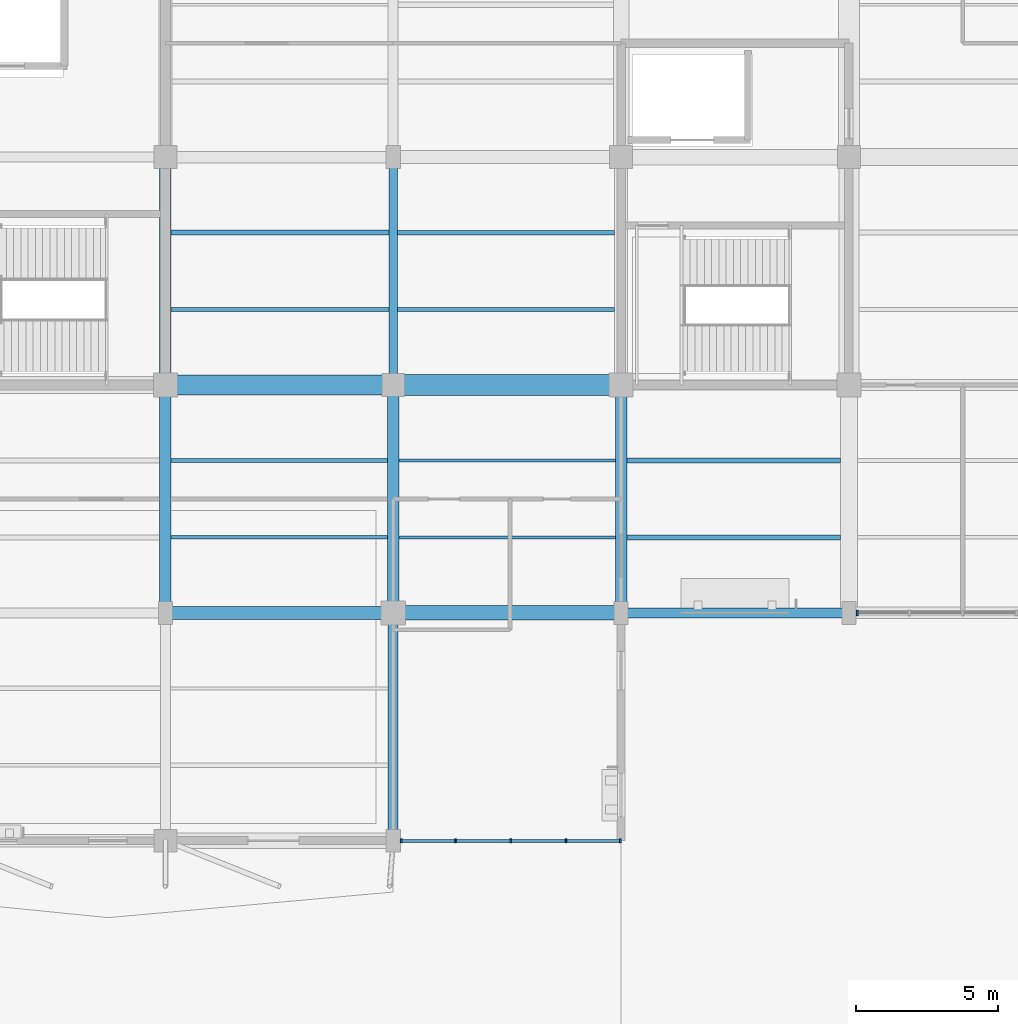
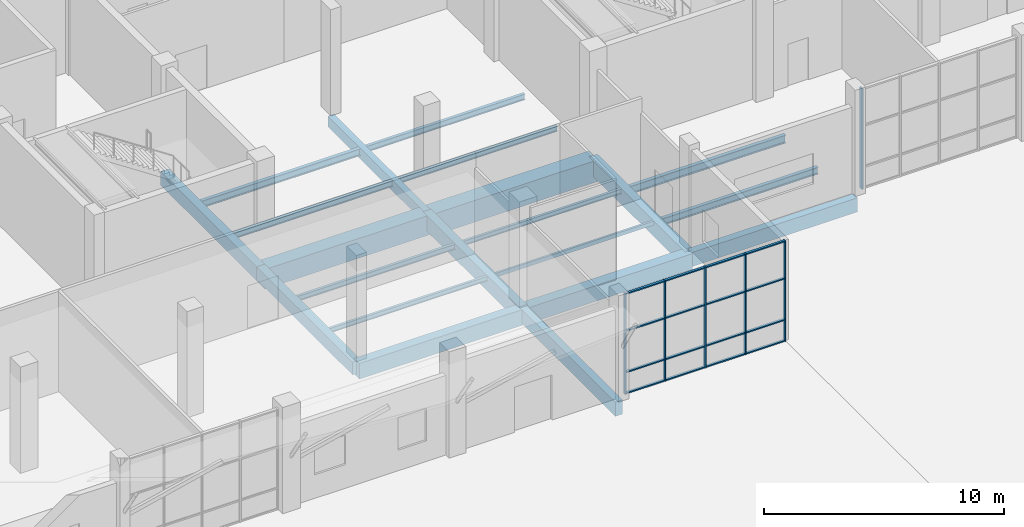
# One storey, part 37 of 123: 22 members, 21 beams, 2 elements without a shape of their own.
"""IFC4 building model written with IfcOpenShell, lengths in metres."""

from ifc_helpers import new_model, si_unit, direction, frame, origin, origin_2d, place, context, subcontext, project, spatial, rectangle, hollow_rectangle, i_section, extrude, material, material_profile, profile_set, type_object, element, aggregate, save


model = new_model("IFC4")

# Units and contexts
model_context = context("Model", 3, precision=1e-05, world=origin(), true_north=direction((0.0, 1.0)))
body_context = subcontext(model_context, "Body", "Model", "MODEL_VIEW")
ifc_project = project(units=[si_unit("LENGTHUNIT", "METRE"), si_unit("AREAUNIT", "SQUARE_METRE"), si_unit("VOLUMEUNIT", "CUBIC_METRE"), si_unit("PLANEANGLEUNIT", "RADIAN"), si_unit("MASSUNIT", "GRAM", prefix="KILO")], contexts=[model_context])

# Site, building, storey
site_placement = place(None, origin())
site = spatial("IfcSite", under=ifc_project, at=site_placement, CompositionType="ELEMENT")
building_placement = place(site_placement, origin())
building = spatial("IfcBuilding", under=site, at=building_placement, Name="Tenunan Teduh Sports Hall", CompositionType="ELEMENT")
storey_placement = place(building_placement, origin())
storey = spatial("IfcBuildingStorey", under=building, at=storey_placement, Name="L00", CompositionType="ELEMENT", Elevation=0.0)

# Beams
ifc_material_1 = material(Name="Concrete C40/50", Category="concrete")
ifc_material_profile_1 = material_profile(ifc_material_1, rectangle(XDim=0.300048828125, YDim=0.550048828125, at=origin_2d()), Name="RCB 300x550")
ifc_profile_set_1 = profile_set([ifc_material_profile_1], Name="Concrete C40/50")
beam_type_1 = type_object("IfcBeamType", Name="BM-RC-300x550", PredefinedType="BEAM", material=ifc_profile_set_1)
beam_1_placement = place(storey_placement, frame((46.0, 94.0, -0.554931640625), z_axis=(0.0, 1.0, 0.0), x_axis=(-1.0, 0.0, 0.0)))
element("IfcBeam", 1, at=beam_1_placement, inside=storey, type_object=beam_type_1, Name="BM-B-02-L00-0798", PredefinedType="BEAM", context=body_context, shape_type="SweptSolid", body=[
    extrude(rectangle(XDim=0.300048828125, YDim=0.550048828125, at=origin_2d()), origin(), (0.0, 0.0, 1.0), 8.0),
])
ifc_material_2 = material(Name="Concrete C40/50", Category="concrete")
ifc_material_profile_2 = material_profile(ifc_material_2, rectangle(XDim=0.39990234375, YDim=0.64990234375, at=origin_2d()), Name="RCB 400x650")
ifc_profile_set_2 = profile_set([ifc_material_profile_2], Name="Concrete C40/50")
beam_type_2 = type_object("IfcBeamType", Name="BM-RC-400x650", PredefinedType="BEAM", material=ifc_profile_set_2)
beam_2_placement = place(storey_placement, frame((38.0, 86.0, -0.60498046875), z_axis=(0.0, 1.0, 0.0), x_axis=(-1.0, 0.0, 0.0)))
element("IfcBeam", 2, at=beam_2_placement, inside=storey, type_object=beam_type_2, Name="BM-B-07-L00-0791", PredefinedType="BEAM", context=body_context, shape_type="SweptSolid", body=[
    extrude(rectangle(XDim=0.39990234375, YDim=0.64990234375, at=origin_2d()), origin(), (0.0, 0.0, 1.0), 8.0),
])
ifc_material_3 = material(Name="Concrete C40/50", Category="concrete")
ifc_material_profile_3 = material_profile(ifc_material_3, rectangle(XDim=0.39990234375, YDim=0.699951171875, at=origin_2d()), Name="RCB 400x700")
ifc_profile_set_3 = profile_set([ifc_material_profile_3], Name="Concrete C40/50")
beam_type_3 = type_object("IfcBeamType", Name="BM-RC-400x700", PredefinedType="BEAM", material=ifc_profile_set_3)
beam_3_placement = place(storey_placement, frame((38.0, 94.0, -0.6298828125), z_axis=(0.0, 1.0, 0.0), x_axis=(-1.0, 0.0, 0.0)))
element("IfcBeam", 3, at=beam_3_placement, inside=storey, type_object=beam_type_3, Name="BM-B-08-L00-0792", PredefinedType="BEAM", context=body_context, shape_type="SweptSolid", body=[
    extrude(rectangle(XDim=0.39990234375, YDim=0.699951171875, at=origin_2d()), origin(), (0.0, 0.0, 1.0), 8.0),
])
ifc_material_4 = material(Name="Concrete C40/50", Category="concrete")
ifc_material_profile_4 = material_profile(ifc_material_4, rectangle(XDim=0.39990234375, YDim=0.800048828125, at=origin_2d()), Name="RCB 400x800")
ifc_profile_set_4 = profile_set([ifc_material_profile_4], Name="Concrete C40/50")
beam_type_4 = type_object("IfcBeamType", Name="BM-RC-400x800", PredefinedType="BEAM", material=ifc_profile_set_4)
beam_4_placement = place(storey_placement, frame((54.0, 86.0, -0.679931640625), z_axis=(0.0, 1.0, 0.0), x_axis=(-1.0, 0.0, 0.0)))
element("IfcBeam", 4, at=beam_4_placement, inside=storey, type_object=beam_type_4, Name="BM-B-10-L00-0805", PredefinedType="BEAM", context=body_context, shape_type="SweptSolid", body=[
    extrude(rectangle(XDim=0.39990234375, YDim=0.800048828125, at=origin_2d()), origin(), (0.0, 0.0, 1.0), 8.0),
])
ifc_material_5 = material(Name="Concrete C40/50", Category="concrete")
ifc_material_profile_5 = material_profile(ifc_material_5, rectangle(XDim=0.449951171875, YDim=0.800048828125, at=origin_2d()), Name="RCB 450x800")
ifc_profile_set_5 = profile_set([ifc_material_profile_5], Name="Concrete C40/50")
beam_type_5 = type_object("IfcBeamType", Name="BM-RC-450x800", PredefinedType="BEAM", material=ifc_profile_set_5)
beam_5_placement = place(storey_placement, frame((38.0, 86.0, -0.679931640625), z_axis=(1.0, 0.0, 0.0), x_axis=(0.0, 1.0, 0.0)))
element("IfcBeam", 5, at=beam_5_placement, inside=storey, type_object=beam_type_5, Name="BM-B-12-L00-0687", PredefinedType="BEAM", context=body_context, shape_type="SweptSolid", body=[
    extrude(rectangle(XDim=0.449951171875, YDim=0.800048828125, at=origin_2d()), origin(), (0.0, 0.0, 1.0), 8.0),
])
ifc_material_6 = material(Name="Concrete C40/50", Category="concrete")
ifc_material_profile_6 = material_profile(ifc_material_6, rectangle(XDim=0.5, YDim=0.800048828125, at=origin_2d()), Name="RCB 500x800")
ifc_profile_set_6 = profile_set([ifc_material_profile_6], Name="Concrete C40/50")
beam_type_6 = type_object("IfcBeamType", Name="BM-RC-500x800", PredefinedType="BEAM", material=ifc_profile_set_6)
beam_6_placement = place(storey_placement, frame((46.0, 86.0, -0.679931640625), z_axis=(1.0, 0.0, 0.0), x_axis=(0.0, 1.0, 0.0)))
element("IfcBeam", 6, at=beam_6_placement, inside=storey, type_object=beam_type_6, Name="BM-B-14-L00-0688", PredefinedType="BEAM", context=body_context, shape_type="SweptSolid", body=[
    extrude(rectangle(XDim=0.5, YDim=0.800048828125, at=origin_2d()), origin(), (0.0, 0.0, 1.0), 8.0),
])
ifc_material_7 = material(Name="Concrete C40/50", Category="concrete")
ifc_material_profile_7 = material_profile(ifc_material_7, rectangle(XDim=0.699951171875, YDim=1.0, at=origin_2d()), Name="RCB 700x1000")
ifc_profile_set_7 = profile_set([ifc_material_profile_7], Name="Concrete C40/50")
beam_type_7 = type_object("IfcBeamType", Name="BM-RC-700x1000", PredefinedType="SPANDREL", material=ifc_profile_set_7)
beam_7_placement = place(storey_placement, frame((38.0, 94.0, -0.780029296875), z_axis=(1.0, 0.0, 0.0), x_axis=(0.0, 1.0, 0.0)))
element("IfcBeam", 7, at=beam_7_placement, inside=storey, type_object=beam_type_7, Name="BM-B-19-L00-0703", PredefinedType="SPANDREL", context=body_context, shape_type="SweptSolid", body=[
    extrude(rectangle(XDim=0.699951171875, YDim=1.0, at=origin_2d()), origin(), (0.0, 0.0, 1.0), 8.0),
])
ifc_material_8 = material(Name="Concrete C40/50", Category="concrete")
ifc_material_profile_8 = material_profile(ifc_material_8, rectangle(XDim=0.75, YDim=1.10009765625, at=origin_2d()), Name="RCB 750x1100")
ifc_profile_set_8 = profile_set([ifc_material_profile_8], Name="Concrete C40/50")
beam_type_8 = type_object("IfcBeamType", Name="BM-RC-750x1100", PredefinedType="SPANDREL", material=ifc_profile_set_8)
beam_8_placement = place(storey_placement, frame((46.0, 94.0, -0.830078125), z_axis=(1.0, 0.0, 0.0), x_axis=(0.0, 1.0, 0.0)))
element("IfcBeam", 8, at=beam_8_placement, inside=storey, type_object=beam_type_8, Name="BM-B-20-L00-0704", PredefinedType="SPANDREL", context=body_context, shape_type="SweptSolid", body=[
    extrude(rectangle(XDim=0.75, YDim=1.10009765625, at=origin_2d()), origin(), (0.0, 0.0, 1.0), 8.0),
])
ifc_material_9 = material(Name="Concrete C40/50", Category="concrete")
ifc_material_profile_9 = material_profile(ifc_material_9, rectangle(XDim=0.35009765625, YDim=0.719970703125, at=origin_2d()), Name="TB 350x720")
ifc_profile_set_9 = profile_set([ifc_material_profile_9], Name="Concrete C40/50")
beam_type_9 = type_object("IfcBeamType", Name="BM-TB-350x720", PredefinedType="T_BEAM", material=ifc_profile_set_9)
for number, where, z_axis, x_axis, name in (
    (9, (54.0, 86.0, -0.639892578125), (1.0, 0.0, 0.0), (0.0, 1.0, 0.0), "BM-TB-01-L00-0689"),
    (10, (46.0, 78.0, -0.639892578125), (0.0, 1.0, 0.0), (-1.0, 0.0, 0.0), "BM-TB-01-L00-0796"),
):
    element("IfcBeam", number, at=place(storey_placement, frame(where, z_axis=z_axis, x_axis=x_axis)), inside=storey, type_object=beam_type_9, Name=name, PredefinedType="T_BEAM", context=body_context, shape_type="SweptSolid", body=[
        extrude(rectangle(XDim=0.35009765625, YDim=0.719970703125, at=origin_2d()), origin(), (0.0, 0.0, 1.0), 8.0),
    ])
ifc_material_10 = material(Name="Concrete C40/50", Category="concrete")
ifc_material_profile_10 = material_profile(ifc_material_10, rectangle(XDim=0.39990234375, YDim=0.780029296875, at=origin_2d()), Name="TB 400x780")
ifc_profile_set_10 = profile_set([ifc_material_profile_10], Name="Concrete C40/50")
beam_type_10 = type_object("IfcBeamType", Name="BM-TB-400x780", PredefinedType="T_BEAM", material=ifc_profile_set_10)
beam_9_placement = place(storey_placement, frame((46.0, 86.0, -0.669921875), z_axis=(0.0, 1.0, 0.0), x_axis=(-1.0, 0.0, 0.0)))
element("IfcBeam", 11, at=beam_9_placement, inside=storey, type_object=beam_type_10, Name="BM-TB-02-L00-0797", PredefinedType="T_BEAM", context=body_context, shape_type="SweptSolid", body=[
    extrude(rectangle(XDim=0.39990234375, YDim=0.780029296875, at=origin_2d()), origin(), (0.0, 0.0, 1.0), 8.0),
])

# Curtain wall, members
ifc_material_11 = material(Name="Anodised aluminium", Category="aluminium")
curtain_wall_type = type_object("IfcCurtainWallType", Name="CW-UNIT-1", PredefinedType="NOTDEFINED", material=ifc_material_11)
curtain_wall_1_placement = place(storey_placement, origin())
curtain_wall_1 = element("IfcCurtainWall", 12, at=curtain_wall_1_placement, inside=storey, type_object=curtain_wall_type, Name="CW-CWM-150-L00-191", PredefinedType="NOTDEFINED")
ifc_material_12 = material(Name="Anodised aluminium", Category="aluminium")
ifc_material_profile_11 = material_profile(ifc_material_12, rectangle(XDim=0.06005859375, YDim=0.14990234375, at=origin_2d()), Name="CWM 60x150")
ifc_profile_set_11 = profile_set([ifc_material_profile_11], Name="Anodised aluminium")
member_type_1 = type_object("IfcMemberType", Name="CWM-150", PredefinedType="MULLION", material=ifc_profile_set_11)
member_1_placement = place(storey_placement, frame((46.280029296875, 78.0, 0.0), z_axis=(0.0, 0.0, 1.0), x_axis=(1.0, 0.0, 0.0)))
member_1 = element("IfcMember", 13, at=member_1_placement, type_object=member_type_1, Name="CW-01 mullion 1", PredefinedType="MULLION", context=body_context, shape_type="SweptSolid", body=[
    extrude(rectangle(XDim=0.06005859375, YDim=0.14990234375, at=origin_2d()), origin(), (0.0, 0.0, 1.0), 5.1201171875),
])
member_2_placement = place(storey_placement, frame((48.1875, 78.0, 0.0), z_axis=(0.0, 0.0, 1.0), x_axis=(1.0, 0.0, 0.0)))
member_2 = element("IfcMember", 14, at=member_2_placement, type_object=member_type_1, Name="CW-01 mullion 2", PredefinedType="MULLION", context=body_context, shape_type="SweptSolid", body=[
    extrude(rectangle(XDim=0.06005859375, YDim=0.14990234375, at=origin_2d()), origin(), (0.0, 0.0, 1.0), 5.1201171875),
])
member_3_placement = place(storey_placement, frame((50.125, 78.0, 0.0), z_axis=(0.0, 0.0, 1.0), x_axis=(1.0, 0.0, 0.0)))
member_3 = element("IfcMember", 15, at=member_3_placement, type_object=member_type_1, Name="CW-01 mullion 3", PredefinedType="MULLION", context=body_context, shape_type="SweptSolid", body=[
    extrude(rectangle(XDim=0.06005859375, YDim=0.14990234375, at=origin_2d()), origin(), (0.0, 0.0, 1.0), 5.1201171875),
])
member_4_placement = place(storey_placement, frame((52.0625, 78.0, 0.0), z_axis=(0.0, 0.0, 1.0), x_axis=(1.0, 0.0, 0.0)))
member_4 = element("IfcMember", 16, at=member_4_placement, type_object=member_type_1, Name="CW-01 mullion 4", PredefinedType="MULLION", context=body_context, shape_type="SweptSolid", body=[
    extrude(rectangle(XDim=0.06005859375, YDim=0.14990234375, at=origin_2d()), origin(), (0.0, 0.0, 1.0), 5.1201171875),
])
member_5_placement = place(storey_placement, frame((53.969970703125, 78.0, 0.0), z_axis=(0.0, 0.0, 1.0), x_axis=(1.0, 0.0, 0.0)))
member_5 = element("IfcMember", 17, at=member_5_placement, type_object=member_type_1, Name="CW-01 mullion 5", PredefinedType="MULLION", context=body_context, shape_type="SweptSolid", body=[
    extrude(rectangle(XDim=0.06005859375, YDim=0.14990234375, at=origin_2d()), origin(), (0.0, 0.0, 1.0), 5.1201171875),
])

# Curtain wall, member
curtain_wall_2_placement = place(storey_placement, origin())
curtain_wall_2 = element("IfcCurtainWall", 18, at=curtain_wall_2_placement, inside=storey, type_object=curtain_wall_type, Name="CW-CWM-200-L00-192", PredefinedType="NOTDEFINED")
ifc_material_13 = material(Name="Anodised aluminium", Category="aluminium")
ifc_material_profile_12 = material_profile(ifc_material_13, rectangle(XDim=0.070068359375, YDim=0.199951171875, at=origin_2d()), Name="CWM 70x200")
ifc_profile_set_12 = profile_set([ifc_material_profile_12], Name="Anodised aluminium")
member_type_2 = type_object("IfcMemberType", Name="CWM-200", PredefinedType="MULLION", material=ifc_profile_set_12)
member_6_placement = place(storey_placement, frame((62.284912109375, 86.0, 0.0), z_axis=(0.0, 0.0, 1.0), x_axis=(1.0, 0.0, 0.0)))
member_6 = element("IfcMember", 19, at=member_6_placement, type_object=member_type_2, Name="CW-01 mullion 1", PredefinedType="MULLION", context=body_context, shape_type="SweptSolid", body=[
    extrude(rectangle(XDim=0.070068359375, YDim=0.199951171875, at=origin_2d()), origin(), (0.0, 0.0, 1.0), 5.1201171875),
])
aggregate(curtain_wall_2, [member_6])

# Member
ifc_material_14 = material(Name="Anodised aluminium", Category="aluminium")
ifc_material_profile_13 = material_profile(ifc_material_14, rectangle(XDim=0.06005859375, YDim=0.1201171875, at=origin_2d()), Name="CWT 60x120")
ifc_profile_set_13 = profile_set([ifc_material_profile_13], Name="Anodised aluminium")
member_type_3 = type_object("IfcMemberType", Name="CWT-125", PredefinedType="USERDEFINED", material=ifc_profile_set_13)
member_7_placement = place(storey_placement, frame((46.31005859375, 78.0, 0.030029296875), z_axis=(1.0, 0.0, 0.0), x_axis=(0.0, 0.0, 1.0)))
member_7 = element("IfcMember", 20, at=member_7_placement, type_object=member_type_3, Name="CW-01 transom 1.1", ObjectType="TRANSOM", PredefinedType="USERDEFINED", context=body_context, shape_type="SweptSolid", body=[
    extrude(rectangle(XDim=0.06005859375, YDim=0.1201171875, at=origin_2d()), origin(), (0.0, 0.0, 1.0), 1.847412109375),
])

member_8_placement = place(storey_placement, frame((46.31005859375, 78.0, 1.10009765625), z_axis=(1.0, 0.0, 0.0), x_axis=(0.0, 0.0, 1.0)))
member_8 = element("IfcMember", 21, at=member_8_placement, type_object=member_type_3, Name="CW-01 transom 1.2", ObjectType="TRANSOM", PredefinedType="USERDEFINED", context=body_context, shape_type="SweptSolid", body=[
    extrude(rectangle(XDim=0.06005859375, YDim=0.1201171875, at=origin_2d()), origin(), (0.0, 0.0, 1.0), 1.847412109375),
])

member_9_placement = place(storey_placement, frame((46.31005859375, 78.0, 3.199951171875), z_axis=(1.0, 0.0, 0.0), x_axis=(0.0, 0.0, 1.0)))
member_9 = element("IfcMember", 22, at=member_9_placement, type_object=member_type_3, Name="CW-01 transom 1.3", ObjectType="TRANSOM", PredefinedType="USERDEFINED", context=body_context, shape_type="SweptSolid", body=[
    extrude(rectangle(XDim=0.06005859375, YDim=0.1201171875, at=origin_2d()), origin(), (0.0, 0.0, 1.0), 1.847412109375),
])

member_10_placement = place(storey_placement, frame((46.31005859375, 78.0, 5.090087890625), z_axis=(1.0, 0.0, 0.0), x_axis=(0.0, 0.0, 1.0)))
member_10 = element("IfcMember", 23, at=member_10_placement, type_object=member_type_3, Name="CW-01 transom 1.4", ObjectType="TRANSOM", PredefinedType="USERDEFINED", context=body_context, shape_type="SweptSolid", body=[
    extrude(rectangle(XDim=0.06005859375, YDim=0.1201171875, at=origin_2d()), origin(), (0.0, 0.0, 1.0), 1.847412109375),
])

member_11_placement = place(storey_placement, frame((48.217529296875, 78.0, 0.030029296875), z_axis=(1.0, 0.0, 0.0), x_axis=(0.0, 0.0, 1.0)))
member_11 = element("IfcMember", 24, at=member_11_placement, type_object=member_type_3, Name="CW-01 transom 2.1", ObjectType="TRANSOM", PredefinedType="USERDEFINED", context=body_context, shape_type="SweptSolid", body=[
    extrude(rectangle(XDim=0.06005859375, YDim=0.1201171875, at=origin_2d()), origin(), (0.0, 0.0, 1.0), 1.87744140625),
])

member_12_placement = place(storey_placement, frame((48.217529296875, 78.0, 1.10009765625), z_axis=(1.0, 0.0, 0.0), x_axis=(0.0, 0.0, 1.0)))
member_12 = element("IfcMember", 25, at=member_12_placement, type_object=member_type_3, Name="CW-01 transom 2.2", ObjectType="TRANSOM", PredefinedType="USERDEFINED", context=body_context, shape_type="SweptSolid", body=[
    extrude(rectangle(XDim=0.06005859375, YDim=0.1201171875, at=origin_2d()), origin(), (0.0, 0.0, 1.0), 1.87744140625),
])

member_13_placement = place(storey_placement, frame((48.217529296875, 78.0, 3.199951171875), z_axis=(1.0, 0.0, 0.0), x_axis=(0.0, 0.0, 1.0)))
member_13 = element("IfcMember", 26, at=member_13_placement, type_object=member_type_3, Name="CW-01 transom 2.3", ObjectType="TRANSOM", PredefinedType="USERDEFINED", context=body_context, shape_type="SweptSolid", body=[
    extrude(rectangle(XDim=0.06005859375, YDim=0.1201171875, at=origin_2d()), origin(), (0.0, 0.0, 1.0), 1.87744140625),
])

member_14_placement = place(storey_placement, frame((48.217529296875, 78.0, 5.090087890625), z_axis=(1.0, 0.0, 0.0), x_axis=(0.0, 0.0, 1.0)))
member_14 = element("IfcMember", 27, at=member_14_placement, type_object=member_type_3, Name="CW-01 transom 2.4", ObjectType="TRANSOM", PredefinedType="USERDEFINED", context=body_context, shape_type="SweptSolid", body=[
    extrude(rectangle(XDim=0.06005859375, YDim=0.1201171875, at=origin_2d()), origin(), (0.0, 0.0, 1.0), 1.87744140625),
])

member_15_placement = place(storey_placement, frame((50.155029296875, 78.0, 0.030029296875), z_axis=(1.0, 0.0, 0.0), x_axis=(0.0, 0.0, 1.0)))
member_15 = element("IfcMember", 28, at=member_15_placement, type_object=member_type_3, Name="CW-01 transom 3.1", ObjectType="TRANSOM", PredefinedType="USERDEFINED", context=body_context, shape_type="SweptSolid", body=[
    extrude(rectangle(XDim=0.06005859375, YDim=0.1201171875, at=origin_2d()), origin(), (0.0, 0.0, 1.0), 1.87744140625),
])

member_16_placement = place(storey_placement, frame((50.155029296875, 78.0, 1.10009765625), z_axis=(1.0, 0.0, 0.0), x_axis=(0.0, 0.0, 1.0)))
member_16 = element("IfcMember", 29, at=member_16_placement, type_object=member_type_3, Name="CW-01 transom 3.2", ObjectType="TRANSOM", PredefinedType="USERDEFINED", context=body_context, shape_type="SweptSolid", body=[
    extrude(rectangle(XDim=0.06005859375, YDim=0.1201171875, at=origin_2d()), origin(), (0.0, 0.0, 1.0), 1.87744140625),
])

member_17_placement = place(storey_placement, frame((50.155029296875, 78.0, 3.199951171875), z_axis=(1.0, 0.0, 0.0), x_axis=(0.0, 0.0, 1.0)))
member_17 = element("IfcMember", 30, at=member_17_placement, type_object=member_type_3, Name="CW-01 transom 3.3", ObjectType="TRANSOM", PredefinedType="USERDEFINED", context=body_context, shape_type="SweptSolid", body=[
    extrude(rectangle(XDim=0.06005859375, YDim=0.1201171875, at=origin_2d()), origin(), (0.0, 0.0, 1.0), 1.87744140625),
])

member_18_placement = place(storey_placement, frame((50.155029296875, 78.0, 5.090087890625), z_axis=(1.0, 0.0, 0.0), x_axis=(0.0, 0.0, 1.0)))
member_18 = element("IfcMember", 31, at=member_18_placement, type_object=member_type_3, Name="CW-01 transom 3.4", ObjectType="TRANSOM", PredefinedType="USERDEFINED", context=body_context, shape_type="SweptSolid", body=[
    extrude(rectangle(XDim=0.06005859375, YDim=0.1201171875, at=origin_2d()), origin(), (0.0, 0.0, 1.0), 1.87744140625),
])

member_19_placement = place(storey_placement, frame((52.092529296875, 78.0, 0.030029296875), z_axis=(1.0, 0.0, 0.0), x_axis=(0.0, 0.0, 1.0)))
member_19 = element("IfcMember", 32, at=member_19_placement, type_object=member_type_3, Name="CW-01 transom 4.1", ObjectType="TRANSOM", PredefinedType="USERDEFINED", context=body_context, shape_type="SweptSolid", body=[
    extrude(rectangle(XDim=0.06005859375, YDim=0.1201171875, at=origin_2d()), origin(), (0.0, 0.0, 1.0), 1.847412109375),
])

member_20_placement = place(storey_placement, frame((52.092529296875, 78.0, 1.10009765625), z_axis=(1.0, 0.0, 0.0), x_axis=(0.0, 0.0, 1.0)))
member_20 = element("IfcMember", 33, at=member_20_placement, type_object=member_type_3, Name="CW-01 transom 4.2", ObjectType="TRANSOM", PredefinedType="USERDEFINED", context=body_context, shape_type="SweptSolid", body=[
    extrude(rectangle(XDim=0.06005859375, YDim=0.1201171875, at=origin_2d()), origin(), (0.0, 0.0, 1.0), 1.847412109375),
])

member_21_placement = place(storey_placement, frame((52.092529296875, 78.0, 3.199951171875), z_axis=(1.0, 0.0, 0.0), x_axis=(0.0, 0.0, 1.0)))
member_21 = element("IfcMember", 34, at=member_21_placement, type_object=member_type_3, Name="CW-01 transom 4.3", ObjectType="TRANSOM", PredefinedType="USERDEFINED", context=body_context, shape_type="SweptSolid", body=[
    extrude(rectangle(XDim=0.06005859375, YDim=0.1201171875, at=origin_2d()), origin(), (0.0, 0.0, 1.0), 1.847412109375),
])

member_22_placement = place(storey_placement, frame((52.092529296875, 78.0, 5.090087890625), z_axis=(1.0, 0.0, 0.0), x_axis=(0.0, 0.0, 1.0)))
member_22 = element("IfcMember", 35, at=member_22_placement, type_object=member_type_3, Name="CW-01 transom 4.4", ObjectType="TRANSOM", PredefinedType="USERDEFINED", context=body_context, shape_type="SweptSolid", body=[
    extrude(rectangle(XDim=0.06005859375, YDim=0.1201171875, at=origin_2d()), origin(), (0.0, 0.0, 1.0), 1.847412109375),
])

aggregate(curtain_wall_1, [member_1, member_2, member_3, member_4, member_5, member_7, member_8, member_9, member_10, member_11, member_12, member_13, member_14, member_15, member_16, member_17, member_18, member_19, member_20, member_21, member_22])

# Beams
ifc_material_15 = material(Name="Steel S355", Category="steel")
ifc_material_profile_14 = material_profile(ifc_material_15, i_section(OverallWidth=0.1201171875, OverallDepth=0.239990234375, WebThickness=0.006103515625, FlangeThickness=0.009765625, FilletRadius=0.014892578125, at=origin_2d()), Name="IPE 240")
ifc_profile_set_14 = profile_set([ifc_material_profile_14], Name="Steel S355")
beam_type_11 = type_object("IfcBeamType", Name="JST-IPE240", PredefinedType="JOIST", material=ifc_profile_set_14)
for number, where, z_axis, x_axis, name in (
    (36, (38.199951171875, 88.64990234375, -0.39990234375), (1.0, 0.0, 0.0), (0.0, 1.0, 0.0), "BM-J-02-L00-0936"),
    (37, (46.199951171875, 91.35009765625, -0.39990234375), (1.0, 0.0, 0.0), (0.0, 1.0, 0.0), "BM-J-02-L00-0947"),
):
    element("IfcBeam", number, at=place(storey_placement, frame(where, z_axis=z_axis, x_axis=x_axis)), inside=storey, type_object=beam_type_11, Name=name, PredefinedType="JOIST", context=body_context, shape_type="SweptSolid", body=[
        extrude(i_section(OverallWidth=0.1201171875, OverallDepth=0.239990234375, WebThickness=0.006103515625, FlangeThickness=0.009765625, FilletRadius=0.014892578125, at=origin_2d()), origin(), (0.0, 0.0, 1.0), 7.60009765625),
    ])
ifc_material_16 = material(Name="Steel S355", Category="steel")
ifc_material_profile_15 = material_profile(ifc_material_16, i_section(OverallWidth=0.135009765625, OverallDepth=0.27001953125, WebThickness=0.006591796875, FlangeThickness=0.01025390625, FilletRadius=0.014892578125, at=origin_2d()), Name="IPE 270")
ifc_profile_set_15 = profile_set([ifc_material_profile_15], Name="Steel S355")
beam_type_12 = type_object("IfcBeamType", Name="JST-IPE270", PredefinedType="JOIST", material=ifc_profile_set_15)
beam_10_placement = place(storey_placement, frame((38.199951171875, 91.35009765625, -0.4150390625), z_axis=(1.0, 0.0, 0.0), x_axis=(0.0, 1.0, 0.0)))
element("IfcBeam", 38, at=beam_10_placement, inside=storey, type_object=beam_type_12, Name="BM-J-03-L00-0937", PredefinedType="JOIST", context=body_context, shape_type="SweptSolid", body=[
    extrude(i_section(OverallWidth=0.135009765625, OverallDepth=0.27001953125, WebThickness=0.006591796875, FlangeThickness=0.01025390625, FilletRadius=0.014892578125, at=origin_2d()), origin(), (0.0, 0.0, 1.0), 7.60009765625),
])
beam_11_placement = place(storey_placement, frame((46.14990234375, 96.64990234375, -0.4150390625), z_axis=(1.0, 0.0, 0.0), x_axis=(0.0, 1.0, 0.0)))
element("IfcBeam", 39, at=beam_11_placement, inside=storey, type_object=beam_type_12, Name="BM-J-03-L00-0948", PredefinedType="JOIST", context=body_context, shape_type="SweptSolid", body=[
    extrude(i_section(OverallWidth=0.135009765625, OverallDepth=0.27001953125, WebThickness=0.006591796875, FlangeThickness=0.01025390625, FilletRadius=0.014892578125, at=origin_2d()), origin(), (0.0, 0.0, 1.0), 7.625),
])
ifc_material_17 = material(Name="Steel S355", Category="steel")
ifc_material_profile_16 = material_profile(ifc_material_17, i_section(OverallWidth=0.14990234375, OverallDepth=0.300048828125, WebThickness=0.007080078125, FlangeThickness=0.0107421875, FilletRadius=0.014892578125, at=origin_2d()), Name="IPE 300")
ifc_profile_set_16 = profile_set([ifc_material_profile_16], Name="Steel S355")
beam_type_13 = type_object("IfcBeamType", Name="JST-IPE300", PredefinedType="JOIST", material=ifc_profile_set_16)
beam_12_placement = place(storey_placement, frame((38.199951171875, 96.64990234375, -0.429931640625), z_axis=(1.0, 0.0, 0.0), x_axis=(0.0, 1.0, 0.0)))
element("IfcBeam", 40, at=beam_12_placement, inside=storey, type_object=beam_type_13, Name="BM-J-04-L00-0938", PredefinedType="JOIST", context=body_context, shape_type="SweptSolid", body=[
    extrude(i_section(OverallWidth=0.14990234375, OverallDepth=0.300048828125, WebThickness=0.007080078125, FlangeThickness=0.0107421875, FilletRadius=0.014892578125, at=origin_2d()), origin(), (0.0, 0.0, 1.0), 7.650146484375),
])
beam_13_placement = place(storey_placement, frame((46.14990234375, 99.35009765625, -0.429931640625), z_axis=(1.0, 0.0, 0.0), x_axis=(0.0, 1.0, 0.0)))
element("IfcBeam", 41, at=beam_13_placement, inside=storey, type_object=beam_type_13, Name="BM-J-04-L00-0949", PredefinedType="JOIST", context=body_context, shape_type="SweptSolid", body=[
    extrude(i_section(OverallWidth=0.14990234375, OverallDepth=0.300048828125, WebThickness=0.007080078125, FlangeThickness=0.0107421875, FilletRadius=0.014892578125, at=origin_2d()), origin(), (0.0, 0.0, 1.0), 7.625),
])
ifc_material_18 = material(Name="Steel S355", Category="steel")
ifc_material_profile_17 = material_profile(ifc_material_18, i_section(OverallWidth=0.169921875, OverallDepth=0.360107421875, WebThickness=0.008056640625, FlangeThickness=0.0126953125, FilletRadius=0.01806640625, at=origin_2d()), Name="IPE 360")
ifc_profile_set_17 = profile_set([ifc_material_profile_17], Name="Steel S355")
beam_type_14 = type_object("IfcBeamType", Name="JST-IPE360", PredefinedType="JOIST", material=ifc_profile_set_17)
beam_14_placement = place(storey_placement, frame((38.199951171875, 99.35009765625, -0.4599609375), z_axis=(1.0, 0.0, 0.0), x_axis=(0.0, 1.0, 0.0)))
element("IfcBeam", 42, at=beam_14_placement, inside=storey, type_object=beam_type_14, Name="BM-J-05-L00-0939", PredefinedType="JOIST", context=body_context, shape_type="SweptSolid", body=[
    extrude(i_section(OverallWidth=0.169921875, OverallDepth=0.360107421875, WebThickness=0.008056640625, FlangeThickness=0.0126953125, FilletRadius=0.01806640625, at=origin_2d()), origin(), (0.0, 0.0, 1.0), 7.650146484375),
])
ifc_material_19 = material(Name="Steel S355", Category="steel")
ifc_material_profile_18 = material_profile(ifc_material_19, hollow_rectangle(XDim=0.10009765625, YDim=0.199951171875, WallThickness=0.008056640625, at=origin_2d()), Name="RHS 200x100x8.0")
ifc_profile_set_18 = profile_set([ifc_material_profile_18], Name="Steel S355")
beam_type_15 = type_object("IfcBeamType", Name="RBM-RHS200", PredefinedType="JOIST", material=ifc_profile_set_18)
beam_15_placement = place(storey_placement, frame((46.199951171875, 88.64990234375, -0.3798828125), z_axis=(1.0, 0.0, 0.0), x_axis=(0.0, 1.0, 0.0)))
element("IfcBeam", 43, at=beam_15_placement, inside=storey, type_object=beam_type_15, Name="Perimeter Ring Beam BM-RB-05-L00-0946", PredefinedType="JOIST", context=body_context, shape_type="SweptSolid", body=[
    extrude(hollow_rectangle(XDim=0.10009765625, YDim=0.199951171875, WallThickness=0.008056640625, at=origin_2d()), origin(), (0.0, 0.0, 1.0), 7.60009765625),
])
ifc_material_20 = material(Name="Steel S355", Category="steel")
ifc_material_profile_19 = material_profile(ifc_material_20, i_section(OverallWidth=0.17138671875, OverallDepth=0.35498046875, WebThickness=0.00732421875, FlangeThickness=0.011474609375, FilletRadius=0.01025390625, at=origin_2d()), Name="UKB 356x171x51")
ifc_profile_set_19 = profile_set([ifc_material_profile_19], Name="Steel S355")
beam_type_16 = type_object("IfcBeamType", Name="SBM-UKB356", PredefinedType="BEAM", material=ifc_profile_set_19)
beam_16_placement = place(storey_placement, frame((54.199951171875, 88.64990234375, -0.45751953125), z_axis=(1.0, 0.0, 0.0), x_axis=(0.0, 1.0, 0.0)))
element("IfcBeam", 44, at=beam_16_placement, inside=storey, type_object=beam_type_16, Name="BM-SB-02-L00-0954", PredefinedType="BEAM", context=body_context, shape_type="SweptSolid", body=[
    extrude(i_section(OverallWidth=0.17138671875, OverallDepth=0.35498046875, WebThickness=0.00732421875, FlangeThickness=0.011474609375, FilletRadius=0.01025390625, at=origin_2d()), origin(), (0.0, 0.0, 1.0), 7.5),
])
ifc_material_21 = material(Name="Steel S355", Category="steel")
ifc_material_profile_20 = material_profile(ifc_material_21, i_section(OverallWidth=0.177978515625, OverallDepth=0.406494140625, WebThickness=0.0078125, FlangeThickness=0.0126953125, FilletRadius=0.01025390625, at=origin_2d()), Name="UKB 406x178x60")
ifc_profile_set_20 = profile_set([ifc_material_profile_20], Name="Steel S355")
beam_type_17 = type_object("IfcBeamType", Name="SBM-UKB406", PredefinedType="BEAM", material=ifc_profile_set_20)
beam_17_placement = place(storey_placement, frame((54.199951171875, 91.35009765625, -0.483154296875), z_axis=(1.0, 0.0, 0.0), x_axis=(0.0, 1.0, 0.0)))
element("IfcBeam", 45, at=beam_17_placement, inside=storey, type_object=beam_type_17, Name="BM-SB-03-L00-0955", PredefinedType="BEAM", context=body_context, shape_type="SweptSolid", body=[
    extrude(i_section(OverallWidth=0.177978515625, OverallDepth=0.406494140625, WebThickness=0.0078125, FlangeThickness=0.0126953125, FilletRadius=0.01025390625, at=origin_2d()), origin(), (0.0, 0.0, 1.0), 7.5),
])

save(model, "model.ifc")
